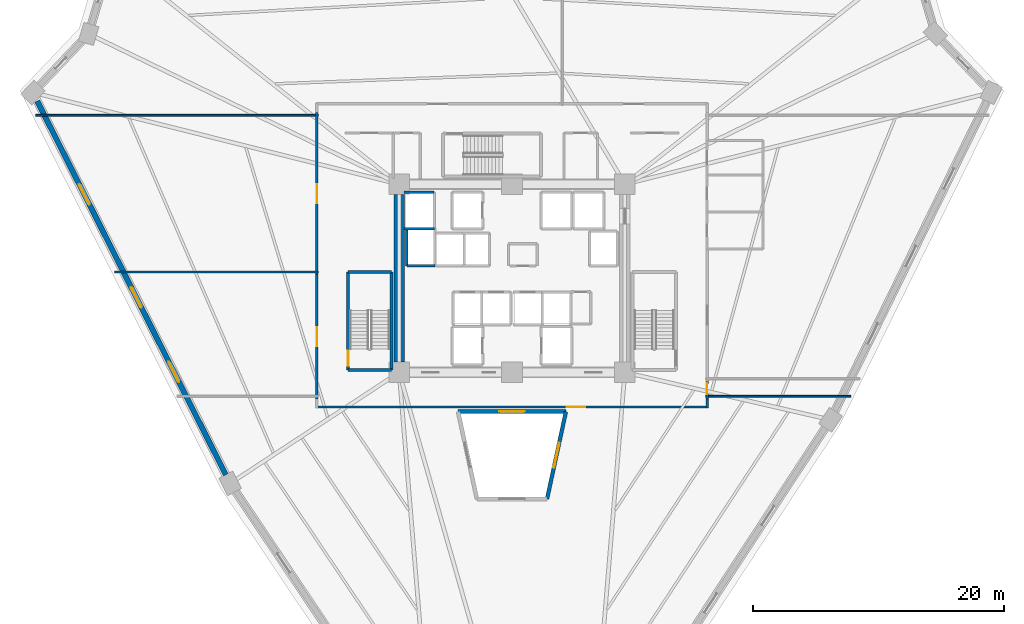
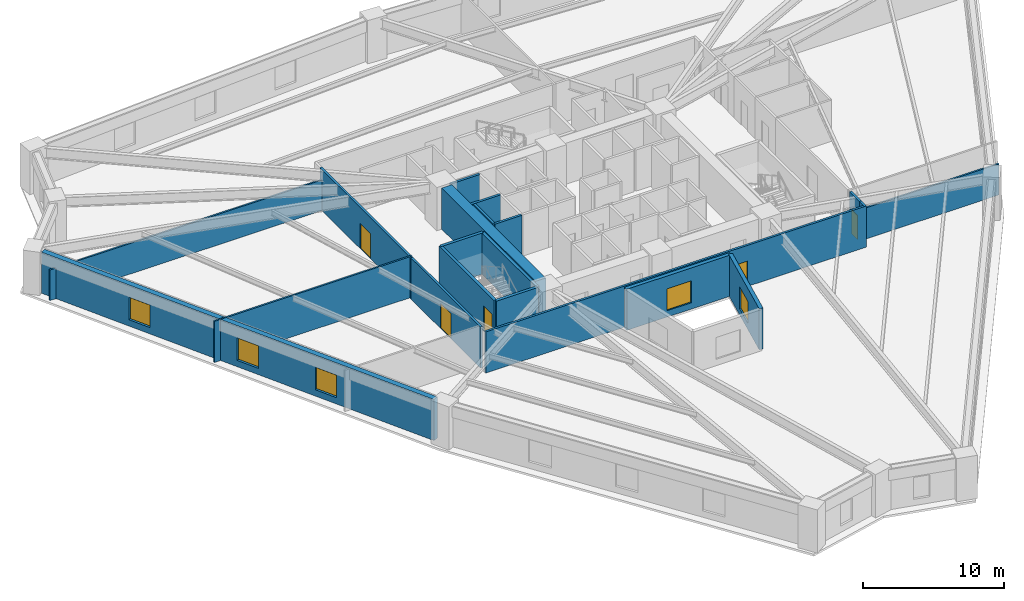
# One storey, part 3 of 8: 20 walls, 5 doors, 5 windows, 10 openings.
"""IFC4 building model written with IfcOpenShell, lengths in metres."""

from ifc_helpers import new_model, si_unit, direction, frame, frame_2d, origin, place, context, subcontext, project, spatial, rectangle, extrude, source, transform, mapped, material, layer, layer_set, type_object, element, fill, save


model = new_model("IFC4")

# Units and contexts
model_context = context("Model", 3, precision=1e-05, world=origin(), true_north=direction((0.0, 1.0)))
body_context = subcontext(model_context, "Body", "Model", "MODEL_VIEW")
ifc_project = project(units=[si_unit("LENGTHUNIT", "METRE"), si_unit("AREAUNIT", "SQUARE_METRE"), si_unit("VOLUMEUNIT", "CUBIC_METRE"), si_unit("PLANEANGLEUNIT", "RADIAN"), si_unit("MASSUNIT", "GRAM", prefix="KILO")], contexts=[model_context])

# Site, building, storey
site_placement = place(None, origin())
site = spatial("IfcSite", under=ifc_project, at=site_placement, CompositionType="ELEMENT")
building_placement = place(site_placement, origin())
building = spatial("IfcBuilding", under=site, at=building_placement, Name="Liaohun Quay Tower", CompositionType="ELEMENT")
storey_placement = place(building_placement, frame((0.0, 0.0, 66.75)))
storey = spatial("IfcBuildingStorey", under=building, at=storey_placement, Name="L17", CompositionType="ELEMENT", Elevation=66.75)

# Wall, opening, window
ifc_material_1 = material(Name="Concrete C50", Category="concrete")
ifc_layer_1 = layer(ifc_material_1, 0.300048828125, Name="Concrete C50", Category="concrete")
ifc_layer_set_1 = layer_set([ifc_layer_1], Name="Concrete C50")
wall_type_1 = type_object("IfcWallType", Name="WAL-ATR-300", PredefinedType="SOLIDWALL", material=ifc_layer_set_1)
wall_1_placement = place(storey_placement, frame((55.697998046875, 43.3701171875, 0.0), z_axis=(0.0, 0.0, 1.0), x_axis=(1.0, 0.0, 0.0)))
wall_1 = element("IfcWall", 1, at=wall_1_placement, inside=storey, type_object=wall_type_1, Name="L17 Atrium Fire Compartment Wall 2", PredefinedType="SOLIDWALL", context=body_context, shape_type="SweptSolid", body=[
    extrude(rectangle(XDim=8.60400390625, YDim=0.300048828125, at=frame_2d((4.302001953125, 0.0))), origin(), (0.0, 0.0, 1.0), 3.570068359375),
])
shared_shape_1 = source(origin(), body_context, "Body", "SweptSolid", [
    extrude(rectangle(XDim=2.0, YDim=1.89990234375, at=frame_2d((1.0, 0.949951171875))), frame((0.0, 0.159912109375, 0.0), z_axis=(0.0, -1.0, 0.0), x_axis=(1.0, 0.0, 0.0)), (0.0, 0.0, 1.0), 0.320068359375),
])
opening_1_placement = place(wall_1_placement, frame((3.302001953125, 0.0, 0.550048828125)))
opening_1 = element("IfcOpeningElement", 2, at=opening_1_placement, cuts=wall_1, Name="Opening W07", PredefinedType="OPENING", context=body_context, shape_type="MappedRepresentation", body=[
    mapped(shared_shape_1, transform((0.0, 0.0, 0.0), x_axis=(1.0, 0.0, 0.0), y_axis=(0.0, 1.0, 0.0), z_axis=(0.0, 0.0, 1.0), scale=1.0)),
])
ifc_material_2 = material(Name="Class A 180-min fire-resistant insulated glazing", Category="glass")
window_type_1 = type_object("IfcWindowType", Name="WIN-ATR-FIR", PartitioningType="DOUBLE_PANEL_VERTICAL", PredefinedType="WINDOW", material=ifc_material_2)
shared_shape_2 = source(origin(), body_context, "Body", "SweptSolid", [
    extrude(rectangle(XDim=2.0, YDim=1.89990234375, at=frame_2d((1.0, 0.949951171875))), frame((0.0, 0.030029296875, 0.0), z_axis=(0.0, -1.0, 0.0), x_axis=(1.0, 0.0, 0.0)), (0.0, 0.0, 1.0), 0.06005859375),
])
window_1_placement = place(opening_1_placement, origin())
window_1 = element("IfcWindow", 3, at=window_1_placement, inside=storey, type_object=window_type_1, Name="L17 Atrium Fire-Resistant Glazing W07-2", OverallHeight=1.89990234375, OverallWidth=2.0, PartitioningType="DOUBLE_PANEL_VERTICAL", PredefinedType="WINDOW", context=body_context, shape_type="MappedRepresentation", body=[
    mapped(shared_shape_2, transform((0.0, 0.0, 0.0), x_axis=(1.0, 0.0, 0.0), y_axis=(0.0, 1.0, 0.0), z_axis=(0.0, 0.0, 1.0), scale=1.0)),
])
fill(opening_1, window_1)

wall_2_placement = place(storey_placement, frame((64.302001953125, 43.3701171875, 0.0), z_axis=(0.0, 0.0, 1.0), x_axis=(-0.211408002859, -0.977397900718, 0.0)))
wall_2 = element("IfcWall", 4, at=wall_2_placement, inside=storey, type_object=wall_type_1, Name="L17 Atrium Fire Compartment Wall 3", PredefinedType="SOLIDWALL", context=body_context, shape_type="SweptSolid", body=[
    extrude(rectangle(XDim=7.124267578125, YDim=0.300048828125, at=frame_2d((3.56201171875, 0.0))), origin(), (0.0, 0.0, 1.0), 3.570068359375),
])
opening_2_placement = place(wall_2_placement, frame((2.56201171875, 0.0, 0.550048828125)))
opening_2 = element("IfcOpeningElement", 5, at=opening_2_placement, cuts=wall_2, Name="Opening W07", PredefinedType="OPENING", context=body_context, shape_type="MappedRepresentation", body=[
    mapped(shared_shape_1, transform((0.0, 0.0, 0.0), x_axis=(1.0, 0.0, 0.0), y_axis=(0.0, 1.0, 0.0), z_axis=(0.0, 0.0, 1.0), scale=1.0)),
])
window_2_placement = place(opening_2_placement, origin())
window_2 = element("IfcWindow", 6, at=window_2_placement, inside=storey, type_object=window_type_1, Name="L17 Atrium Fire-Resistant Glazing W07-3", OverallHeight=1.89990234375, OverallWidth=2.0, PartitioningType="DOUBLE_PANEL_VERTICAL", PredefinedType="WINDOW", context=body_context, shape_type="MappedRepresentation", body=[
    mapped(shared_shape_2, transform((0.0, 0.0, 0.0), x_axis=(1.0, 0.0, 0.0), y_axis=(0.0, 1.0, 0.0), z_axis=(0.0, 0.0, 1.0), scale=1.0)),
])
fill(opening_2, window_2)

# Wall
ifc_material_3 = material(Name="Concrete C60", Category="concrete")
ifc_layer_2 = layer(ifc_material_3, 0.85009765625, Name="Concrete C60", Category="concrete")
ifc_layer_set_2 = layer_set([ifc_layer_2], Name="Concrete C60")
wall_type_2 = type_object("IfcWallType", Name="WAL-COR-Z1", PredefinedType="SHEAR", material=ifc_layer_set_2)
wall_3_placement = place(storey_placement, frame((51.0, 47.324951171875, 0.0), z_axis=(0.0, 0.0, 1.0), x_axis=(0.0, 1.0, 0.0)))
element("IfcWall", 7, at=wall_3_placement, inside=storey, type_object=wall_type_2, Name="L17 Central Core Shear Wall W", PredefinedType="SHEAR", context=body_context, shape_type="SweptSolid", body=[
    extrude(rectangle(XDim=13.35009765625, YDim=0.85009765625, at=frame_2d((6.675048828125, 0.0))), origin(), (0.0, 0.0, 1.0), 3.570068359375),
])

# Wall, openings, windows
ifc_material_4 = material(Name="Precast concrete C50 insulated sandwich", Category="concrete")
ifc_layer_3 = layer(ifc_material_4, 0.419921875, Name="Precast concrete C50 insulated sandwich", Category="concrete")
ifc_layer_set_3 = layer_set([ifc_layer_3], Name="Precast concrete C50 insulated sandwich")
wall_type_3 = type_object("IfcWallType", Name="WAL-EXT-Z12", PredefinedType="SOLIDWALL", material=ifc_layer_set_3)
wall_4_placement = place(storey_placement, frame((22.14111328125, 68.133056640625, 0.0), z_axis=(0.0, 0.0, 1.0), x_axis=(0.450521782218, -0.892765436017, 0.0)))
wall_4 = element("IfcWall", 8, at=wall_4_placement, inside=storey, type_object=wall_type_3, Name="L17 Brutalist Precast Pier Wall 10", PredefinedType="SOLIDWALL", context=body_context, shape_type="SweptSolid", body=[
    extrude(rectangle(XDim=33.38525390625, YDim=0.419921875, at=frame_2d((16.692626953125, 0.0))), origin(), (0.0, 0.0, 1.0), 3.570068359375),
])
shared_shape_3 = source(origin(), body_context, "Body", "SweptSolid", [
    extrude(rectangle(XDim=1.800048828125, YDim=1.949951171875, at=frame_2d((0.89990234375, 0.97509765625))), frame((0.0, 0.219970703125, 0.0), z_axis=(0.0, -1.0, 0.0), x_axis=(1.0, 0.0, 0.0)), (0.0, 0.0, 1.0), 0.43994140625),
])
opening_3_placement = place(wall_4_placement, frame((7.446044921875, 0.0, 0.550048828125)))
opening_3 = element("IfcOpeningElement", 9, at=opening_3_placement, cuts=wall_4, Name="Opening W01", PredefinedType="OPENING", context=body_context, shape_type="MappedRepresentation", body=[
    mapped(shared_shape_3, transform((0.0, 0.0, 0.0), x_axis=(1.0, 0.0, 0.0), y_axis=(0.0, 1.0, 0.0), z_axis=(0.0, 0.0, 1.0), scale=1.0)),
])
opening_4_placement = place(wall_4_placement, frame((16.64306640625, 0.0, 0.550048828125)))
opening_4 = element("IfcOpeningElement", 10, at=opening_4_placement, cuts=wall_4, Name="Opening W01", PredefinedType="OPENING", context=body_context, shape_type="MappedRepresentation", body=[
    mapped(shared_shape_3, transform((0.0, 0.0, 0.0), x_axis=(1.0, 0.0, 0.0), y_axis=(0.0, 1.0, 0.0), z_axis=(0.0, 0.0, 1.0), scale=1.0)),
])
opening_5_placement = place(wall_4_placement, frame((23.2890625, 0.0, 0.550048828125)))
opening_5 = element("IfcOpeningElement", 11, at=opening_5_placement, cuts=wall_4, Name="Opening W01", PredefinedType="OPENING", context=body_context, shape_type="MappedRepresentation", body=[
    mapped(shared_shape_3, transform((0.0, 0.0, 0.0), x_axis=(1.0, 0.0, 0.0), y_axis=(0.0, 1.0, 0.0), z_axis=(0.0, 0.0, 1.0), scale=1.0)),
])
ifc_material_5 = material(Name="Triple Low-E argon glazing in thermally broken aluminium", Category="aluminium")
window_type_2 = type_object("IfcWindowType", Name="WIN-PUN-Z1", PartitioningType="DOUBLE_PANEL_VERTICAL", PredefinedType="WINDOW", material=ifc_material_5)
shared_shape_4 = source(origin(), body_context, "Body", "SweptSolid", [
    extrude(rectangle(XDim=1.800048828125, YDim=1.949951171875, at=frame_2d((0.89990234375, 0.97509765625))), frame((0.0, 0.030029296875, 0.0), z_axis=(0.0, -1.0, 0.0), x_axis=(1.0, 0.0, 0.0)), (0.0, 0.0, 1.0), 0.06005859375),
])
window_3_placement = place(opening_3_placement, origin())
window_3 = element("IfcWindow", 12, at=window_3_placement, inside=storey, type_object=window_type_2, Name="L17 Recessed Cold-Climate Punched Window 10-1", OverallHeight=1.949951171875, OverallWidth=1.800048828125, PartitioningType="DOUBLE_PANEL_VERTICAL", PredefinedType="WINDOW", context=body_context, shape_type="MappedRepresentation", body=[
    mapped(shared_shape_4, transform((0.0, 0.0, 0.0), x_axis=(1.0, 0.0, 0.0), y_axis=(0.0, 1.0, 0.0), z_axis=(0.0, 0.0, 1.0), scale=1.0)),
])
fill(opening_3, window_3)
window_4_placement = place(opening_4_placement, origin())
window_4 = element("IfcWindow", 13, at=window_4_placement, inside=storey, type_object=window_type_2, Name="L17 Recessed Cold-Climate Punched Window 10-2", OverallHeight=1.949951171875, OverallWidth=1.800048828125, PartitioningType="DOUBLE_PANEL_VERTICAL", PredefinedType="WINDOW", context=body_context, shape_type="MappedRepresentation", body=[
    mapped(shared_shape_4, transform((0.0, 0.0, 0.0), x_axis=(1.0, 0.0, 0.0), y_axis=(0.0, 1.0, 0.0), z_axis=(0.0, 0.0, 1.0), scale=1.0)),
])
fill(opening_4, window_4)
window_5_placement = place(opening_5_placement, origin())
window_5 = element("IfcWindow", 14, at=window_5_placement, inside=storey, type_object=window_type_2, Name="L17 Recessed Cold-Climate Punched Window 10-3", OverallHeight=1.949951171875, OverallWidth=1.800048828125, PartitioningType="DOUBLE_PANEL_VERTICAL", PredefinedType="WINDOW", context=body_context, shape_type="MappedRepresentation", body=[
    mapped(shared_shape_4, transform((0.0, 0.0, 0.0), x_axis=(1.0, 0.0, 0.0), y_axis=(0.0, 1.0, 0.0), z_axis=(0.0, 0.0, 1.0), scale=1.0)),
])
fill(opening_5, window_5)

# Wall, opening, door
ifc_material_6 = material(Name="Autoclaved aerated concrete blockwork", Category="masonry")
ifc_layer_4 = layer(ifc_material_6, 0.179931640625, Name="Autoclaved aerated concrete blockwork", Category="masonry")
ifc_layer_set_4 = layer_set([ifc_layer_4], Name="Autoclaved aerated concrete blockwork")
wall_type_4 = type_object("IfcWallType", Name="WAL-PRT-COR", PredefinedType="PARTITIONING", material=ifc_layer_set_4)
wall_5_placement = place(storey_placement, frame((44.43994140625, 54.284912109375, 0.0), z_axis=(0.0, 0.0, 1.0), x_axis=(0.0, 1.0, 0.0)))
wall_5 = element("IfcWall", 15, at=wall_5_placement, inside=storey, type_object=wall_type_4, Name="L17 Interior Partition Wall 013", PredefinedType="PARTITIONING", context=body_context, shape_type="SweptSolid", body=[
    extrude(rectangle(XDim=12.93017578125, YDim=0.179931640625, at=frame_2d((6.465087890625, 0.0))), origin(), (0.0, 0.0, 1.0), 3.570068359375),
])
shared_shape_5 = source(origin(), body_context, "Body", "SweptSolid", [
    extrude(rectangle(XDim=1.5, YDim=2.199951171875, at=frame_2d((0.75, 1.10009765625))), frame((0.0, 0.099853515625, 0.0), z_axis=(0.0, -1.0, 0.0), x_axis=(1.0, 0.0, 0.0)), (0.0, 0.0, 1.0), 0.199951171875),
])
opening_6_placement = place(wall_5_placement, frame((5.715087890625, 0.0, 0.0)))
opening_6 = element("IfcOpeningElement", 16, at=opening_6_placement, cuts=wall_5, Name="Opening OD2", PredefinedType="OPENING", context=body_context, shape_type="MappedRepresentation", body=[
    mapped(shared_shape_5, transform((0.0, 0.0, 0.0), x_axis=(1.0, 0.0, 0.0), y_axis=(0.0, 1.0, 0.0), z_axis=(0.0, 0.0, 1.0), scale=1.0)),
])
ifc_material_7 = material(Name="Acoustic oak veneer double door")
door_type_1 = type_object("IfcDoorType", Name="DOR-OFF-1500", OperationType="DOUBLE_DOOR_SINGLE_SWING", PredefinedType="DOOR", material=ifc_material_7)
shared_shape_6 = source(origin(), body_context, "Body", "SweptSolid", [
    extrude(rectangle(XDim=1.5, YDim=2.199951171875, at=frame_2d((0.75, 1.10009765625))), frame((0.0, 0.02490234375, 0.0), z_axis=(0.0, -1.0, 0.0), x_axis=(1.0, 0.0, 0.0)), (0.0, 0.0, 1.0), 0.050048828125),
])
door_1_placement = place(opening_6_placement, origin())
door_1 = element("IfcDoor", 17, at=door_1_placement, inside=storey, type_object=door_type_1, Name="L17 Project Collaboration Studio 04 Door", OperationType="DOUBLE_DOOR_SINGLE_SWING", OverallHeight=2.199951171875, OverallWidth=1.5, PredefinedType="DOOR", context=body_context, shape_type="MappedRepresentation", body=[
    mapped(shared_shape_6, transform((0.0, 0.0, 0.0), x_axis=(1.0, 0.0, 0.0), y_axis=(0.0, 1.0, 0.0), z_axis=(0.0, 0.0, 1.0), scale=1.0)),
])
fill(opening_6, door_1)

wall_6_placement = place(storey_placement, frame((44.43994140625, 44.385009765625, 0.0), z_axis=(0.0, 0.0, 1.0), x_axis=(0.0, 1.0, 0.0)))
wall_6 = element("IfcWall", 18, at=wall_6_placement, inside=storey, type_object=wall_type_4, Name="L17 Interior Partition Wall 014", PredefinedType="PARTITIONING", context=body_context, shape_type="SweptSolid", body=[
    extrude(rectangle(XDim=9.89990234375, YDim=0.179931640625, at=frame_2d((4.949951171875, 0.0))), origin(), (0.0, 0.0, 1.0), 3.570068359375),
])
opening_7_placement = place(wall_6_placement, frame((4.199951171875, 0.0, 0.0)))
opening_7 = element("IfcOpeningElement", 19, at=opening_7_placement, cuts=wall_6, Name="Opening OD2", PredefinedType="OPENING", context=body_context, shape_type="MappedRepresentation", body=[
    mapped(shared_shape_5, transform((0.0, 0.0, 0.0), x_axis=(1.0, 0.0, 0.0), y_axis=(0.0, 1.0, 0.0), z_axis=(0.0, 0.0, 1.0), scale=1.0)),
])
door_2_placement = place(opening_7_placement, origin())
door_2 = element("IfcDoor", 20, at=door_2_placement, inside=storey, type_object=door_type_1, Name="L17 Engineering Model Workshop 05 Door", OperationType="DOUBLE_DOOR_SINGLE_SWING", OverallHeight=2.199951171875, OverallWidth=1.5, PredefinedType="DOOR", context=body_context, shape_type="MappedRepresentation", body=[
    mapped(shared_shape_6, transform((0.0, 0.0, 0.0), x_axis=(1.0, 0.0, 0.0), y_axis=(0.0, 1.0, 0.0), z_axis=(0.0, 0.0, 1.0), scale=1.0)),
])
fill(opening_7, door_2)

wall_7_placement = place(storey_placement, frame((75.6298828125, 43.739990234375, 0.0), z_axis=(0.0, 0.0, 1.0), x_axis=(-1.0, 0.0, 0.0)))
wall_7 = element("IfcWall", 21, at=wall_7_placement, inside=storey, type_object=wall_type_4, Name="L17 Interior Partition Wall 015", PredefinedType="PARTITIONING", context=body_context, shape_type="SweptSolid", body=[
    extrude(rectangle(XDim=31.259765625, YDim=0.179931640625, at=frame_2d((15.6298828125, 0.0))), origin(), (0.0, 0.0, 1.0), 3.570068359375),
])
opening_8_placement = place(wall_7_placement, frame((9.780029296875, 0.0, 0.0)))
opening_8 = element("IfcOpeningElement", 22, at=opening_8_placement, cuts=wall_7, Name="Opening OD2", PredefinedType="OPENING", context=body_context, shape_type="MappedRepresentation", body=[
    mapped(shared_shape_5, transform((0.0, 0.0, 0.0), x_axis=(1.0, 0.0, 0.0), y_axis=(0.0, 1.0, 0.0), z_axis=(0.0, 0.0, 1.0), scale=1.0)),
])
door_3_placement = place(opening_8_placement, origin())
door_3 = element("IfcDoor", 23, at=door_3_placement, inside=storey, type_object=door_type_1, Name="L17 Staff Tea Kitchen and Pantry 06 Door", OperationType="DOUBLE_DOOR_SINGLE_SWING", OverallHeight=2.199951171875, OverallWidth=1.5, PredefinedType="DOOR", context=body_context, shape_type="MappedRepresentation", body=[
    mapped(shared_shape_6, transform((0.0, 0.0, 0.0), x_axis=(1.0, 0.0, 0.0), y_axis=(0.0, 1.0, 0.0), z_axis=(0.0, 0.0, 1.0), scale=1.0)),
])
fill(opening_8, door_3)

wall_8_placement = place(storey_placement, frame((75.56005859375, 45.784912109375, 0.0), z_axis=(0.0, 0.0, 1.0), x_axis=(0.0, -1.0, 0.0)))
wall_8 = element("IfcWall", 24, at=wall_8_placement, inside=storey, type_object=wall_type_4, Name="L17 Interior Partition Wall 016", PredefinedType="PARTITIONING", context=body_context, shape_type="SweptSolid", body=[
    extrude(rectangle(XDim=1.39990234375, YDim=0.179931640625, at=frame_2d((0.699951171875, 0.0))), origin(), (0.0, 0.0, 1.0), 3.570068359375),
])
shared_shape_7 = source(origin(), body_context, "Body", "SweptSolid", [
    extrude(rectangle(XDim=0.85009765625, YDim=2.10009765625, at=frame_2d((0.425048828125, 1.050048828125))), frame((0.0, 0.099853515625, 0.0), z_axis=(0.0, -1.0, 0.0), x_axis=(1.0, 0.0, 0.0)), (0.0, 0.0, 1.0), 0.199951171875),
])
opening_9_placement = place(wall_8_placement, frame((0.1630859375, 0.0, 0.0)))
opening_9 = element("IfcOpeningElement", 25, at=opening_9_placement, cuts=wall_8, Name="Opening AD1", PredefinedType="OPENING", context=body_context, shape_type="MappedRepresentation", body=[
    mapped(shared_shape_7, transform((0.0, 0.0, 0.0), x_axis=(1.0, 0.0, 0.0), y_axis=(0.0, 1.0, 0.0), z_axis=(0.0, 0.0, 1.0), scale=1.0)),
])
ifc_material_8 = material(Name="Steel riser inspection fire door", Category="steel")
door_type_2 = type_object("IfcDoorType", Name="DOR-SHF-850", OperationType="NOTDEFINED", PredefinedType="DOOR", material=ifc_material_8)
shared_shape_8 = source(origin(), body_context, "Body", "SweptSolid", [
    extrude(rectangle(XDim=0.85009765625, YDim=2.10009765625, at=frame_2d((0.425048828125, 1.050048828125))), frame((0.0, 0.02490234375, 0.0), z_axis=(0.0, -1.0, 0.0), x_axis=(1.0, 0.0, 0.0)), (0.0, 0.0, 1.0), 0.050048828125),
])
door_4_placement = place(opening_9_placement, origin())
door_4 = element("IfcDoor", 26, at=door_4_placement, inside=storey, type_object=door_type_2, Name="L17 Architectural Design Studio 07 Door", OperationType="SINGLE_SWING_RIGHT", OverallHeight=2.10009765625, OverallWidth=0.85009765625, PredefinedType="DOOR", context=body_context, shape_type="MappedRepresentation", body=[
    mapped(shared_shape_8, transform((0.0, 0.0, 0.0), x_axis=(1.0, 0.0, 0.0), y_axis=(0.0, 1.0, 0.0), z_axis=(0.0, 0.0, 1.0), scale=1.0)),
])
fill(opening_9, door_4)

# Walls
wall_9_placement = place(storey_placement, frame((75.56005859375, 44.385009765625, 0.0), z_axis=(0.0, 0.0, 1.0), x_axis=(0.0, -1.0, 0.0)))
element("IfcWall", 27, at=wall_9_placement, inside=storey, type_object=wall_type_4, Name="L17 Interior Partition Wall 035", PredefinedType="PARTITIONING", context=body_context, shape_type="SweptSolid", body=[
    extrude(rectangle(XDim=0.715087890625, YDim=0.179931640625, at=frame_2d((0.357421875, 0.0))), origin(), (0.0, 0.0, 1.0), 3.570068359375),
])
ifc_material_9 = material(Name="Gypsum board on twin steel studs", Category="steel")
ifc_layer_5 = layer(ifc_material_9, 0.139892578125, Name="Gypsum board on twin steel studs", Category="steel")
ifc_layer_set_5 = layer_set([ifc_layer_5], Name="Gypsum board on twin steel studs")
wall_type_5 = type_object("IfcWallType", Name="WAL-PRT-OFF", PredefinedType="PARTITIONING", material=ifc_layer_set_5)
wall_10_placement = place(storey_placement, frame((44.5400390625, 54.5, 0.0), z_axis=(0.0, 0.0, 1.0), x_axis=(-1.0, 0.0, 0.0)))
element("IfcWall", 28, at=wall_10_placement, inside=storey, type_object=wall_type_5, Name="L17 Interior Partition Wall 037", PredefinedType="PARTITIONING", context=body_context, shape_type="SweptSolid", body=[
    extrude(rectangle(XDim=16.22509765625, YDim=0.139892578125, at=frame_2d((8.112548828125, 0.0))), origin(), (0.0, 0.0, 1.0), 3.570068359375),
])
wall_11_placement = place(storey_placement, frame((44.5400390625, 67.0, 0.0), z_axis=(0.0, 0.0, 1.0), x_axis=(-1.0, 0.0, 0.0)))
element("IfcWall", 29, at=wall_11_placement, inside=storey, type_object=wall_type_5, Name="L17 Interior Partition Wall 038", PredefinedType="PARTITIONING", context=body_context, shape_type="SweptSolid", body=[
    extrude(rectangle(XDim=22.532958984375, YDim=0.139892578125, at=frame_2d((11.2666015625, 0.0))), origin(), (0.0, 0.0, 1.0), 2.655029296875),
])
wall_12_placement = place(storey_placement, frame((75.4599609375, 44.60009765625, 0.0), z_axis=(0.0, 0.0, 1.0), x_axis=(1.0, 0.0, 0.0)))
element("IfcWall", 30, at=wall_12_placement, inside=storey, type_object=wall_type_5, Name="L17 Interior Partition Wall 039", PredefinedType="PARTITIONING", context=body_context, shape_type="SweptSolid", body=[
    extrude(rectangle(XDim=11.568115234375, YDim=0.139892578125, at=frame_2d((5.7841796875, 0.0))), origin(), (0.0, 0.0, 1.0), 2.705078125),
])
ifc_layer_6 = layer(ifc_material_1, 0.239990234375, Name="Concrete C50", Category="concrete")
ifc_layer_set_6 = layer_set([ifc_layer_6], Name="Concrete C50")
wall_type_6 = type_object("IfcWallType", Name="WAL-SHF-200", PredefinedType="SOLIDWALL", material=ifc_layer_set_6)
wall_13_placement = place(storey_placement, frame((46.93994140625, 46.699951171875, 0.0), z_axis=(0.0, 0.0, 1.0), x_axis=(1.0, 0.0, 0.0)))
element("IfcWall", 31, at=wall_13_placement, inside=storey, type_object=wall_type_6, Name="L17 Stairwell ST-1 Structural Core Wall S", PredefinedType="SOLIDWALL", context=body_context, shape_type="SweptSolid", body=[
    extrude(rectangle(XDim=3.43994140625, YDim=0.239990234375, at=frame_2d((1.719970703125, 0.0))), origin(), (0.0, 0.0, 1.0), 3.570068359375),
])
wall_14_placement = place(storey_placement, frame((50.3798828125, 46.699951171875, 0.0), z_axis=(0.0, 0.0, 1.0), x_axis=(0.0, 1.0, 0.0)))
element("IfcWall", 32, at=wall_14_placement, inside=storey, type_object=wall_type_6, Name="L17 Stairwell ST-1 Structural Core Wall E", PredefinedType="SOLIDWALL", context=body_context, shape_type="SweptSolid", body=[
    extrude(rectangle(XDim=7.820068359375, YDim=0.239990234375, at=frame_2d((3.91015625, 0.0))), origin(), (0.0, 0.0, 1.0), 3.570068359375),
])
wall_15_placement = place(storey_placement, frame((50.3798828125, 54.52001953125, 0.0), z_axis=(0.0, 0.0, 1.0), x_axis=(-1.0, 0.0, 0.0)))
element("IfcWall", 33, at=wall_15_placement, inside=storey, type_object=wall_type_6, Name="L17 Stairwell ST-1 Structural Core Wall N", PredefinedType="SOLIDWALL", context=body_context, shape_type="SweptSolid", body=[
    extrude(rectangle(XDim=3.43994140625, YDim=0.239990234375, at=frame_2d((1.719970703125, 0.0))), origin(), (0.0, 0.0, 1.0), 3.570068359375),
])

# Wall, opening, door
wall_16_placement = place(storey_placement, frame((46.93994140625, 54.52001953125, 0.0), z_axis=(0.0, 0.0, 1.0), x_axis=(0.0, -1.0, 0.0)))
wall_16 = element("IfcWall", 34, at=wall_16_placement, inside=storey, type_object=wall_type_6, Name="L17 Stairwell ST-1 Structural Core Wall W", PredefinedType="SOLIDWALL", context=body_context, shape_type="SweptSolid", body=[
    extrude(rectangle(XDim=7.820068359375, YDim=0.239990234375, at=frame_2d((3.91015625, 0.0))), origin(), (0.0, 0.0, 1.0), 3.570068359375),
])
shared_shape_9 = source(origin(), body_context, "Body", "SweptSolid", [
    extrude(rectangle(XDim=1.199951171875, YDim=2.199951171875, at=frame_2d((0.60009765625, 1.10009765625))), frame((0.0, 0.1298828125, 0.0), z_axis=(0.0, -1.0, 0.0), x_axis=(1.0, 0.0, 0.0)), (0.0, 0.0, 1.0), 0.260009765625),
])
opening_10_placement = place(wall_16_placement, frame((6.300048828125, 0.0, 0.0)))
opening_10 = element("IfcOpeningElement", 35, at=opening_10_placement, cuts=wall_16, Name="Opening SD1", PredefinedType="OPENING", context=body_context, shape_type="MappedRepresentation", body=[
    mapped(shared_shape_9, transform((0.0, 0.0, 0.0), x_axis=(1.0, 0.0, 0.0), y_axis=(0.0, 1.0, 0.0), z_axis=(0.0, 0.0, 1.0), scale=1.0)),
])
ifc_material_10 = material(Name="Galvanised steel fire door", Category="steel")
door_type_3 = type_object("IfcDoorType", Name="DOR-STR-1200", OperationType="NOTDEFINED", PredefinedType="DOOR", material=ifc_material_10)
shared_shape_10 = source(origin(), body_context, "Body", "SweptSolid", [
    extrude(rectangle(XDim=1.199951171875, YDim=2.199951171875, at=frame_2d((0.60009765625, 1.10009765625))), frame((0.0, 0.02490234375, 0.0), z_axis=(0.0, -1.0, 0.0), x_axis=(1.0, 0.0, 0.0)), (0.0, 0.0, 1.0), 0.050048828125),
])
door_5_placement = place(opening_10_placement, origin())
door_5 = element("IfcDoor", 36, at=door_5_placement, inside=storey, type_object=door_type_3, Name="L17 Protected Stair ST-1 Fire Door", OperationType="SINGLE_SWING_LEFT", OverallHeight=2.199951171875, OverallWidth=1.199951171875, PredefinedType="DOOR", context=body_context, shape_type="MappedRepresentation", body=[
    mapped(shared_shape_10, transform((0.0, 0.0, 0.0), x_axis=(1.0, 0.0, 0.0), y_axis=(0.0, 1.0, 0.0), z_axis=(0.0, 0.0, 1.0), scale=1.0)),
])
fill(opening_10, door_5)

# Walls
for number, where, z_axis, x_axis, name in (
    (37, (51.39990234375, 57.949951171875, 0.0), (0.0, 0.0, 1.0), (1.0, 0.0, 0.0), "L17 Lift SH-01 Hoistway Wall S"),
    (38, (53.800048828125, 60.8798828125, 0.0), (0.0, 0.0, 1.0), (-1.0, 0.0, 0.0), "L17 Lift SH-01 Hoistway Wall N"),
):
    element("IfcWall", number, at=place(storey_placement, frame(where, z_axis=z_axis, x_axis=x_axis)), inside=storey, type_object=wall_type_6, Name=name, PredefinedType="SOLIDWALL", context=body_context, shape_type="SweptSolid", body=[
        extrude(rectangle(XDim=2.400146484375, YDim=0.199951171875, at=frame_2d((1.2001953125, 0.0))), origin(), (0.0, 0.0, 1.0), 3.570068359375),
    ])
wall_17_placement = place(storey_placement, frame((51.6201171875, 55.0, 0.0), z_axis=(0.0, 0.0, 1.0), x_axis=(1.0, 0.0, 0.0)))
element("IfcWall", 39, at=wall_17_placement, inside=storey, type_object=wall_type_6, Name="L17 Lift SH-02 Hoistway Wall S", PredefinedType="SOLIDWALL", context=body_context, shape_type="SweptSolid", body=[
    extrude(rectangle(XDim=2.22998046875, YDim=0.199951171875, at=frame_2d((1.114990234375, 0.0))), origin(), (0.0, 0.0, 1.0), 3.570068359375),
])
wall_18_placement = place(storey_placement, frame((51.6201171875, 58.0, 0.0), z_axis=(0.0, 0.0, 1.0), x_axis=(0.0, -1.0, 0.0)))
element("IfcWall", 40, at=wall_18_placement, inside=storey, type_object=wall_type_6, Name="L17 Lift SH-02 Hoistway Wall W", PredefinedType="SOLIDWALL", context=body_context, shape_type="SweptSolid", body=[
    extrude(rectangle(XDim=3.0, YDim=0.199951171875, at=frame_2d((1.5, 0.0))), origin(), (0.0, 0.0, 1.0), 3.570068359375),
])

save(model, "model.ifc")
